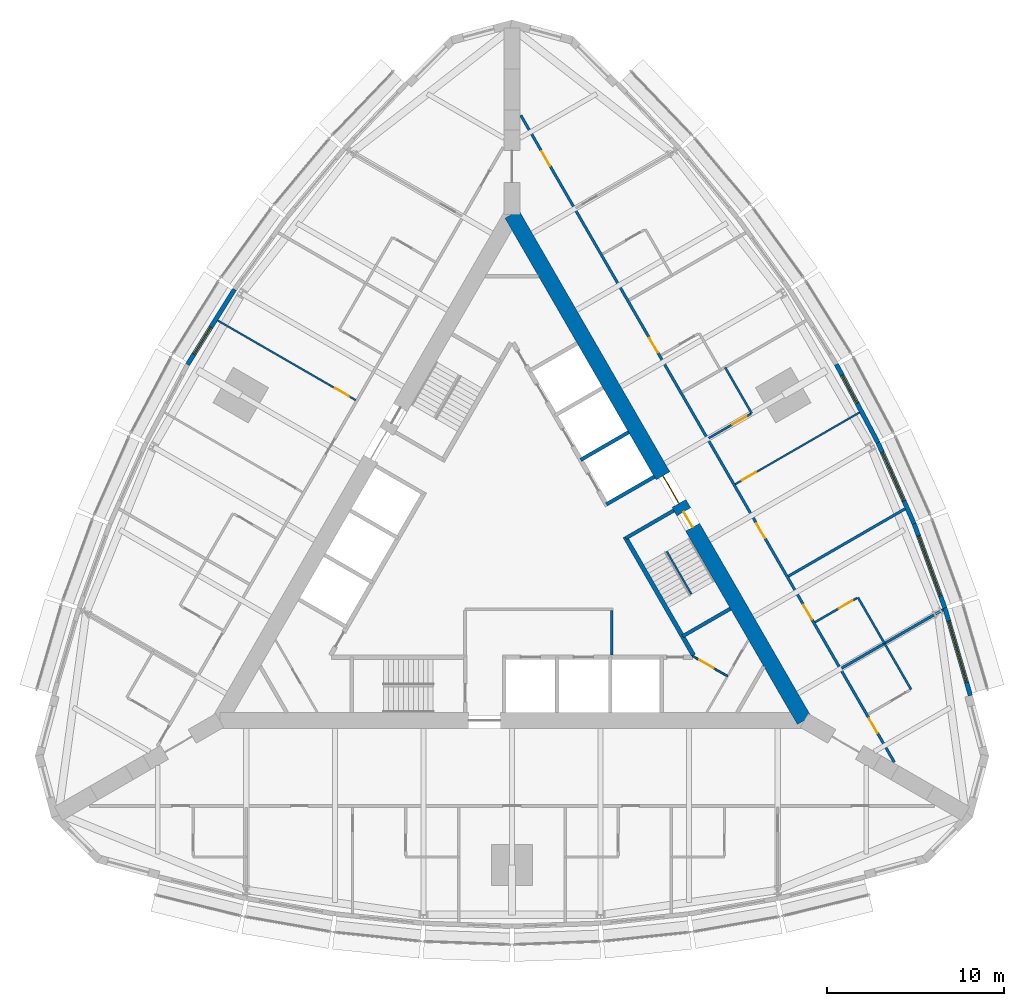
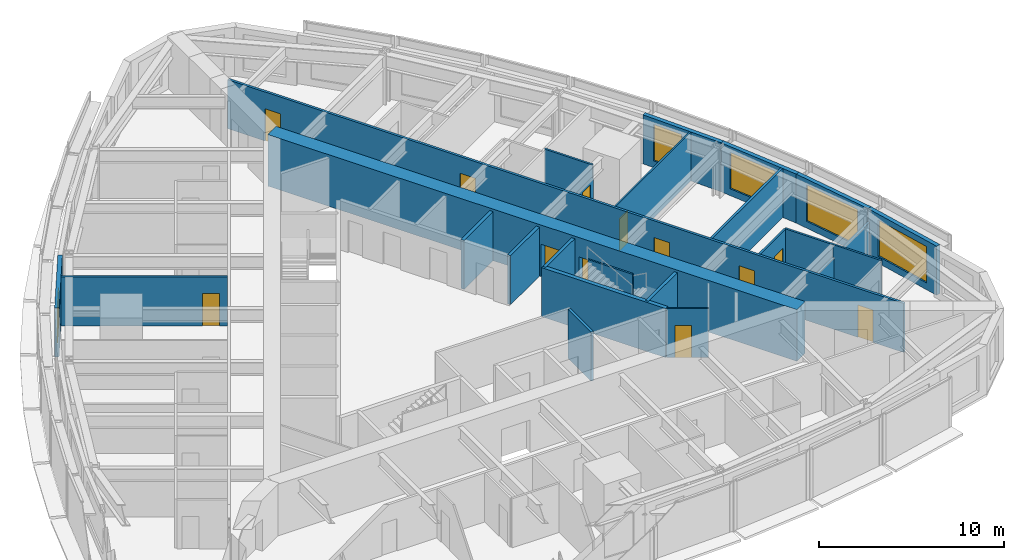
# One storey, part 11 of 14: 24 walls, 12 doors, 5 windows, 17 openings.
"""IFC4 building model written with IfcOpenShell, lengths in metres."""

from ifc_helpers import new_model, si_unit, direction, frame, frame_2d, origin, place, context, subcontext, project, spatial, rectangle, extrude, material, layer, layer_set, type_object, element, fill, save


model = new_model("IFC4")

# Units and contexts
model_context = context("Model", 3, precision=1e-05, world=origin(), true_north=direction((0.0, 1.0)))
body_context = subcontext(model_context, "Body", "Model", "MODEL_VIEW")
ifc_project = project(units=[si_unit("LENGTHUNIT", "METRE"), si_unit("AREAUNIT", "SQUARE_METRE"), si_unit("VOLUMEUNIT", "CUBIC_METRE"), si_unit("PLANEANGLEUNIT", "RADIAN"), si_unit("MASSUNIT", "GRAM", prefix="KILO")], contexts=[model_context])

# Site, building, storey
site_placement = place(None, origin())
site = spatial("IfcSite", under=ifc_project, at=site_placement, CompositionType="ELEMENT")
building_placement = place(site_placement, origin())
building = spatial("IfcBuilding", under=site, at=building_placement, Name="Trikona Tower", CompositionType="ELEMENT")
storey_placement = place(building_placement, frame((0.0, 0.0, 169.10009765625)))
storey = spatial("IfcBuildingStorey", under=building, at=storey_placement, Name="L45", CompositionType="ELEMENT", Elevation=169.10009765625)

# Walls
ifc_material_1 = material(Name="Metal stud and cement board", Category="gypsum")
ifc_layer_1 = layer(ifc_material_1, 0.1201171875)
ifc_layer_set_1 = layer_set([ifc_layer_1], Name="Bathroom wall 120")
wall_type_1 = type_object("IfcWallType", Name="Bathroom wall 120", PredefinedType="PLUMBINGWALL", material=ifc_layer_set_1)
for number, where, z_axis, x_axis, name in (
    (1, (22.53271484375, -7.775390625, 0.0), (0.0, 0.0, 1.0), (-0.499990139034, 0.866031096941, 0.0), "Bathroom wall 4505"),
    (2, (21.03271484375, -5.17724609375, 0.0), (0.0, 0.0, 1.0), (-0.499990139034, 0.866031096941, 0.0), "Bathroom wall 4506"),
):
    element("IfcWall", number, at=place(storey_placement, frame(where, z_axis=z_axis, x_axis=x_axis)), inside=storey, type_object=wall_type_1, Name=name, PredefinedType="PLUMBINGWALL", context=body_context, shape_type="SweptSolid", body=[
        extrude(rectangle(XDim=3.0, YDim=0.1201171875, at=frame_2d((1.5, 0.0))), origin(), (0.0, 0.0, 1.0), 3.23486328125),
    ])

# Wall, opening, door
wall_1_placement = place(storey_placement, frame((17.10791015625, -3.979248046875, 0.0), z_axis=(0.0, 0.0, 1.0), x_axis=(0.865997131366, 0.500048966069, 0.0)))
wall_1 = element("IfcWall", 3, at=wall_1_placement, inside=storey, type_object=wall_type_1, Name="Bathroom wall 4506", PredefinedType="PLUMBINGWALL", context=body_context, shape_type="SweptSolid", body=[
    extrude(rectangle(XDim=2.739990234375, YDim=0.1201171875, at=frame_2d((1.3701171875, 0.0))), origin(), (0.0, 0.0, 1.0), 3.23486328125),
])
opening_1_placement = place(wall_1_placement, frame((1.550048828125, 0.0, 0.0)))
opening_1 = element("IfcOpeningElement", 4, at=opening_1_placement, cuts=wall_1, Name="Opening D2", PredefinedType="OPENING", context=body_context, shape_type="SweptSolid", body=[
    extrude(rectangle(XDim=0.89990234375, YDim=2.1298828125, at=frame_2d((0.449951171875, 1.06494140625))), frame((0.0, 0.070068359375, 0.0), z_axis=(0.0, -1.0, 0.0), x_axis=(1.0, 0.0, 0.0)), (0.0, 0.0, 1.0), 0.14013671875),
])
ifc_material_2 = material(Name="Steel door frame with solid-core timber leaf", Category="steel")
door_type_1 = type_object("IfcDoorType", Name="Bathroom door 900x2130", OperationType="SLIDING_TO_LEFT", PredefinedType="DOOR", material=ifc_material_2)
door_1_placement = place(opening_1_placement, origin())
door_1 = element("IfcDoor", 5, at=door_1_placement, inside=storey, type_object=door_type_1, Name="Bathroom door 4506", OperationType="SLIDING_TO_LEFT", OverallHeight=2.1298828125, OverallWidth=0.89990234375, PredefinedType="DOOR", context=body_context, shape_type="SweptSolid", body=[
    extrude(rectangle(XDim=0.89990234375, YDim=2.1298828125, at=frame_2d((0.449951171875, 1.06494140625))), frame((0.0, 0.02490234375, 0.0), z_axis=(0.0, -1.0, 0.0), x_axis=(1.0, 0.0, 0.0)), (0.0, 0.0, 1.0), 0.050048828125),
])
fill(opening_1, door_1)

# Wall
wall_2_placement = place(storey_placement, frame((13.53271484375, 7.81298828125, 0.0), z_axis=(0.0, 0.0, 1.0), x_axis=(-0.499990139034, 0.866031096941, 0.0)))
element("IfcWall", 6, at=wall_2_placement, inside=storey, type_object=wall_type_1, Name="Bathroom wall 4507.1", PredefinedType="PLUMBINGWALL", context=body_context, shape_type="SweptSolid", body=[
    extrude(rectangle(XDim=3.0, YDim=0.1201171875, at=frame_2d((1.5, 0.0))), origin(), (0.0, 0.0, 1.0), 3.23486328125),
])

# Wall, opening, door
wall_3_placement = place(storey_placement, frame((11.10791015625, 6.4130859375, 0.0), z_axis=(0.0, 0.0, 1.0), x_axis=(0.865997131366, 0.500048966069, 0.0)))
wall_3 = element("IfcWall", 7, at=wall_3_placement, inside=storey, type_object=wall_type_1, Name="Bathroom wall 4507.1", PredefinedType="PLUMBINGWALL", context=body_context, shape_type="SweptSolid", body=[
    extrude(rectangle(XDim=2.739990234375, YDim=0.1201171875, at=frame_2d((1.3701171875, 0.0))), origin(), (0.0, 0.0, 1.0), 2.38916015625),
])
opening_2_placement = place(wall_3_placement, frame((1.550048828125, 0.0, 0.0)))
opening_2 = element("IfcOpeningElement", 8, at=opening_2_placement, cuts=wall_3, Name="Opening D2", PredefinedType="OPENING", context=body_context, shape_type="SweptSolid", body=[
    extrude(rectangle(XDim=0.89990234375, YDim=2.1298828125, at=frame_2d((0.449951171875, 1.06494140625))), frame((0.0, 0.070068359375, 0.0), z_axis=(0.0, -1.0, 0.0), x_axis=(1.0, 0.0, 0.0)), (0.0, 0.0, 1.0), 0.14013671875),
])
door_2_placement = place(opening_2_placement, origin())
door_2 = element("IfcDoor", 9, at=door_2_placement, inside=storey, type_object=door_type_1, Name="Bathroom door 4507.1", OperationType="SLIDING_TO_LEFT", OverallHeight=2.1298828125, OverallWidth=0.89990234375, PredefinedType="DOOR", context=body_context, shape_type="SweptSolid", body=[
    extrude(rectangle(XDim=0.89990234375, YDim=2.1298828125, at=frame_2d((0.449951171875, 1.06494140625))), frame((0.0, 0.02490234375, 0.0), z_axis=(0.0, -1.0, 0.0), x_axis=(1.0, 0.0, 0.0)), (0.0, 0.0, 1.0), 0.050048828125),
])
fill(opening_2, door_2)

# Wall, openings, doors
ifc_material_3 = material(Name="Concrete f'c 10000 psi", Category="concrete")
ifc_layer_2 = layer(ifc_material_3, 0.89990234375)
ifc_layer_set_2 = layer_set([ifc_layer_2], Name="Core wall 900")
wall_type_2 = type_object("IfcWallType", Name="Core wall 900", PredefinedType="SHEAR", material=ifc_layer_set_2)
wall_4_placement = place(storey_placement, frame((16.5, -9.5263671875, 0.0), z_axis=(0.0, 0.0, 1.0), x_axis=(-0.499999749417, 0.866025548458, 0.0)))
wall_4 = element("IfcWall", 10, at=wall_4_placement, inside=storey, type_object=wall_type_2, Name="Core wall B", PredefinedType="SHEAR", context=body_context, shape_type="SweptSolid", body=[
    extrude(rectangle(XDim=33.0, YDim=0.89990234375, at=frame_2d((16.5, 0.0))), origin(), (0.0, 0.0, 1.0), 3.39990234375),
])
opening_3_placement = place(wall_4_placement, frame((14.14990234375, 0.0, 0.0)))
opening_3 = element("IfcOpeningElement", 11, at=opening_3_placement, cuts=wall_4, Name="Opening D6", PredefinedType="OPENING", context=body_context, shape_type="SweptSolid", body=[
    extrude(rectangle(XDim=1.800048828125, YDim=2.1298828125, at=frame_2d((0.89990234375, 1.06494140625))), frame((0.0, 0.4599609375, 0.0), z_axis=(0.0, -1.0, 0.0), x_axis=(1.0, 0.0, 0.0)), (0.0, 0.0, 1.0), 0.919921875),
])
opening_4_placement = place(wall_4_placement, frame((12.60009765625, 0.0, 0.0)))
opening_4 = element("IfcOpeningElement", 12, at=opening_4_placement, cuts=wall_4, Name="Opening D5", PredefinedType="OPENING", context=body_context, shape_type="SweptSolid", body=[
    extrude(rectangle(XDim=1.0, YDim=2.1298828125, at=frame_2d((0.5, 1.06494140625))), frame((0.0, 0.4599609375, 0.0), z_axis=(0.0, -1.0, 0.0), x_axis=(1.0, 0.0, 0.0)), (0.0, 0.0, 1.0), 0.919921875),
])
ifc_material_4 = material(Name="Hollow metal door and frame", Category="steel")
door_type_2 = type_object("IfcDoorType", Name="Lobby door pair 1800x2130", OperationType="DOUBLE_DOOR_SINGLE_SWING", PredefinedType="DOOR", material=ifc_material_4)
door_3_placement = place(opening_3_placement, origin())
door_3 = element("IfcDoor", 13, at=door_3_placement, inside=storey, type_object=door_type_2, Name="Lift lobby door B", OperationType="DOUBLE_DOOR_SINGLE_SWING", OverallHeight=2.1298828125, OverallWidth=1.800048828125, PredefinedType="DOOR", context=body_context, shape_type="SweptSolid", body=[
    extrude(rectangle(XDim=1.800048828125, YDim=2.1298828125, at=frame_2d((0.89990234375, 1.06494140625))), frame((0.0, 0.02490234375, 0.0), z_axis=(0.0, -1.0, 0.0), x_axis=(1.0, 0.0, 0.0)), (0.0, 0.0, 1.0), 0.050048828125),
])
fill(opening_3, door_3)
ifc_material_5 = material(Name="Hollow metal door and frame", Category="steel")
door_type_3 = type_object("IfcDoorType", Name="Stair door 1000x2130", OperationType="SINGLE_SWING_LEFT", PredefinedType="DOOR", material=ifc_material_5)
door_4_placement = place(opening_4_placement, origin())
door_4 = element("IfcDoor", 14, at=door_4_placement, inside=storey, type_object=door_type_3, Name="Stair B door", OperationType="SINGLE_SWING_RIGHT", OverallHeight=2.1298828125, OverallWidth=1.0, PredefinedType="DOOR", context=body_context, shape_type="SweptSolid", body=[
    extrude(rectangle(XDim=1.0, YDim=2.1298828125, at=frame_2d((0.5, 1.06494140625))), frame((0.0, 0.02490234375, 0.0), z_axis=(0.0, -1.0, 0.0), x_axis=(1.0, 0.0, 0.0)), (0.0, 0.0, 1.0), 0.050048828125),
])
fill(opening_4, door_4)

ifc_material_6 = material(Name="Metal stud and gypsum board, 1-hour", Category="gypsum")
ifc_layer_3 = layer(ifc_material_6, 0.14990234375)
ifc_layer_set_3 = layer_set([ifc_layer_3], Name="Corridor wall 150")
wall_type_3 = type_object("IfcWallType", Name="Corridor wall 150", PredefinedType="PARTITIONING", material=ifc_layer_set_3)
wall_5_placement = place(storey_placement, frame((21.5859375, -11.88525390625, 0.0), z_axis=(0.0, 0.0, 1.0), x_axis=(-0.500001915564, 0.86602429783, 0.0)))
wall_5 = element("IfcWall", 15, at=wall_5_placement, inside=storey, type_object=wall_type_3, Name="Corridor wall L45-2", PredefinedType="PARTITIONING", context=body_context, shape_type="SweptSolid", body=[
    extrude(rectangle(XDim=42.171630859375, YDim=0.14990234375, at=frame_2d((21.0859375, 0.0))), origin(), (0.0, 0.0, 1.0), 3.23486328125),
])
opening_5_placement = place(wall_5_placement, frame((1.910888671875, 0.0, 0.0)))
opening_5 = element("IfcOpeningElement", 16, at=opening_5_placement, cuts=wall_5, Name="Opening D1", PredefinedType="OPENING", context=body_context, shape_type="SweptSolid", body=[
    extrude(rectangle(XDim=0.949951171875, YDim=2.1298828125, at=frame_2d((0.47509765625, 1.06494140625))), frame((0.0, 0.0849609375, 0.0), z_axis=(0.0, -1.0, 0.0), x_axis=(1.0, 0.0, 0.0)), (0.0, 0.0, 1.0), 0.169921875),
])
opening_6_placement = place(wall_5_placement, frame((9.310791015625, 0.0, 0.0)))
opening_6 = element("IfcOpeningElement", 17, at=opening_6_placement, cuts=wall_5, Name="Opening D1", PredefinedType="OPENING", context=body_context, shape_type="SweptSolid", body=[
    extrude(rectangle(XDim=0.949951171875, YDim=2.1298828125, at=frame_2d((0.47509765625, 1.06494140625))), frame((0.0, 0.0849609375, 0.0), z_axis=(0.0, -1.0, 0.0), x_axis=(1.0, 0.0, 0.0)), (0.0, 0.0, 1.0), 0.169921875),
])
opening_7_placement = place(wall_5_placement, frame((14.61083984375, 0.0, 0.0)))
opening_7 = element("IfcOpeningElement", 18, at=opening_7_placement, cuts=wall_5, Name="Opening D1", PredefinedType="OPENING", context=body_context, shape_type="SweptSolid", body=[
    extrude(rectangle(XDim=0.949951171875, YDim=2.1298828125, at=frame_2d((0.47509765625, 1.06494140625))), frame((0.0, 0.0849609375, 0.0), z_axis=(0.0, -1.0, 0.0), x_axis=(1.0, 0.0, 0.0)), (0.0, 0.0, 1.0), 0.169921875),
])
opening_8_placement = place(wall_5_placement, frame((26.7109375, 0.0, 0.0)))
opening_8 = element("IfcOpeningElement", 19, at=opening_8_placement, cuts=wall_5, Name="Opening D1", PredefinedType="OPENING", context=body_context, shape_type="SweptSolid", body=[
    extrude(rectangle(XDim=0.949951171875, YDim=2.1298828125, at=frame_2d((0.47509765625, 1.06494140625))), frame((0.0, 0.0849609375, 0.0), z_axis=(0.0, -1.0, 0.0), x_axis=(1.0, 0.0, 0.0)), (0.0, 0.0, 1.0), 0.169921875),
])
opening_9_placement = place(wall_5_placement, frame((38.884033203125, 0.0, 0.0)))
opening_9 = element("IfcOpeningElement", 20, at=opening_9_placement, cuts=wall_5, Name="Opening D1", PredefinedType="OPENING", context=body_context, shape_type="SweptSolid", body=[
    extrude(rectangle(XDim=0.949951171875, YDim=2.1298828125, at=frame_2d((0.47509765625, 1.06494140625))), frame((0.0, 0.0849609375, 0.0), z_axis=(0.0, -1.0, 0.0), x_axis=(1.0, 0.0, 0.0)), (0.0, 0.0, 1.0), 0.169921875),
])
ifc_material_7 = material(Name="Steel door frame with solid-core timber leaf", Category="steel")
door_type_4 = type_object("IfcDoorType", Name="Guest room door 950x2130", OperationType="SINGLE_SWING_LEFT", PredefinedType="DOOR", material=ifc_material_7)
door_5_placement = place(opening_5_placement, origin())
door_5 = element("IfcDoor", 21, at=door_5_placement, inside=storey, type_object=door_type_4, Name="Room door 4505", OperationType="SINGLE_SWING_LEFT", OverallHeight=2.1298828125, OverallWidth=0.949951171875, PredefinedType="DOOR", context=body_context, shape_type="SweptSolid", body=[
    extrude(rectangle(XDim=0.949951171875, YDim=2.1298828125, at=frame_2d((0.47509765625, 1.06494140625))), frame((0.0, 0.02490234375, 0.0), z_axis=(0.0, -1.0, 0.0), x_axis=(1.0, 0.0, 0.0)), (0.0, 0.0, 1.0), 0.050048828125),
])
fill(opening_5, door_5)
door_6_placement = place(opening_6_placement, origin())
door_6 = element("IfcDoor", 22, at=door_6_placement, inside=storey, type_object=door_type_4, Name="Room door 4506", OperationType="SINGLE_SWING_RIGHT", OverallHeight=2.1298828125, OverallWidth=0.949951171875, PredefinedType="DOOR", context=body_context, shape_type="SweptSolid", body=[
    extrude(rectangle(XDim=0.949951171875, YDim=2.1298828125, at=frame_2d((0.47509765625, 1.06494140625))), frame((0.0, 0.02490234375, 0.0), z_axis=(0.0, -1.0, 0.0), x_axis=(1.0, 0.0, 0.0)), (0.0, 0.0, 1.0), 0.050048828125),
])
fill(opening_6, door_6)
door_7_placement = place(opening_7_placement, origin())
door_7 = element("IfcDoor", 23, at=door_7_placement, inside=storey, type_object=door_type_4, Name="Room door 4507", OperationType="SINGLE_SWING_LEFT", OverallHeight=2.1298828125, OverallWidth=0.949951171875, PredefinedType="DOOR", context=body_context, shape_type="SweptSolid", body=[
    extrude(rectangle(XDim=0.949951171875, YDim=2.1298828125, at=frame_2d((0.47509765625, 1.06494140625))), frame((0.0, 0.02490234375, 0.0), z_axis=(0.0, -1.0, 0.0), x_axis=(1.0, 0.0, 0.0)), (0.0, 0.0, 1.0), 0.050048828125),
])
fill(opening_7, door_7)
door_8_placement = place(opening_8_placement, origin())
door_8 = element("IfcDoor", 24, at=door_8_placement, inside=storey, type_object=door_type_4, Name="Room door 4508", OperationType="SINGLE_SWING_RIGHT", OverallHeight=2.1298828125, OverallWidth=0.949951171875, PredefinedType="DOOR", context=body_context, shape_type="SweptSolid", body=[
    extrude(rectangle(XDim=0.949951171875, YDim=2.1298828125, at=frame_2d((0.47509765625, 1.06494140625))), frame((0.0, 0.02490234375, 0.0), z_axis=(0.0, -1.0, 0.0), x_axis=(1.0, 0.0, 0.0)), (0.0, 0.0, 1.0), 0.050048828125),
])
fill(opening_8, door_8)
door_9_placement = place(opening_9_placement, origin())
door_9 = element("IfcDoor", 25, at=door_9_placement, inside=storey, type_object=door_type_4, Name="Room door 4509", OperationType="SINGLE_SWING_RIGHT", OverallHeight=2.1298828125, OverallWidth=0.949951171875, PredefinedType="DOOR", context=body_context, shape_type="SweptSolid", body=[
    extrude(rectangle(XDim=0.949951171875, YDim=2.1298828125, at=frame_2d((0.47509765625, 1.06494140625))), frame((0.0, 0.02490234375, 0.0), z_axis=(0.0, -1.0, 0.0), x_axis=(1.0, 0.0, 0.0)), (0.0, 0.0, 1.0), 0.050048828125),
])
fill(opening_9, door_9)

# Wall
ifc_material_8 = material(Name="Concrete f'c 8000 psi", Category="concrete")
ifc_layer_4 = layer(ifc_material_8, 0.25)
ifc_layer_set_4 = layer_set([ifc_layer_4], Name="Hub wall 250")
wall_type_4 = type_object("IfcWallType", Name="Hub wall 250", PredefinedType="SOLIDWALL", material=ifc_layer_set_4)
wall_6_placement = place(storey_placement, frame((10.245361328125, -5.843017578125, 0.0), z_axis=(0.0, 0.0, 1.0), x_axis=(-0.499993009313, 0.866029439822, 0.0)))
element("IfcWall", 26, at=wall_6_placement, inside=storey, type_object=wall_type_4, Name="Lift lobby wall B1", PredefinedType="SOLIDWALL", context=body_context, shape_type="SweptSolid", body=[
    extrude(rectangle(XDim=7.73291015625, YDim=0.25, at=frame_2d((3.866455078125, 0.0))), origin(), (0.0, 0.0, 1.0), 3.23486328125),
])

# Wall, opening, window
ifc_material_9 = material(Name="Insulated precast concrete spandrel panel", Category="concrete")
ifc_layer_5 = layer(ifc_material_9, 0.25)
ifc_layer_set_5 = layer_set([ifc_layer_5], Name="Inner skin wall 250")
wall_type_5 = type_object("IfcWallType", Name="Inner skin wall 250", PredefinedType="STANDARD", material=ifc_layer_set_5)
wall_7_placement = place(storey_placement, frame((25.8798828125, -8.117919921875, 0.0), z_axis=(0.0, 0.0, 1.0), x_axis=(-0.279528287117, 0.960137457191, 0.0)))
wall_7 = element("IfcWall", 27, at=wall_7_placement, inside=storey, type_object=wall_type_5, Name="External wall L45-12", PredefinedType="STANDARD", context=body_context, shape_type="SweptSolid", body=[
    extrude(rectangle(XDim=5.14794921875, YDim=0.25, at=frame_2d((2.573974609375, 0.0))), origin(), (0.0, 0.0, 1.0), 3.23486328125),
])
opening_10_placement = place(wall_7_placement, frame((0.77392578125, 0.0, 0.449951171875)))
opening_10 = element("IfcOpeningElement", 28, at=opening_10_placement, cuts=wall_7, Name="Opening W3624", PredefinedType="OPENING", context=body_context, shape_type="SweptSolid", body=[
    extrude(rectangle(XDim=3.60009765625, YDim=2.39990234375, at=frame_2d((1.800048828125, 1.199951171875))), frame((0.0, 0.135009765625, 0.0), z_axis=(0.0, -1.0, 0.0), x_axis=(1.0, 0.0, 0.0)), (0.0, 0.0, 1.0), 0.27001953125),
])
ifc_material_10 = material(Name="Aluminium-framed double glazing", Category="aluminium")
window_type_1 = type_object("IfcWindowType", Name="Window 3600x2400", PartitioningType="SINGLE_PANEL", PredefinedType="WINDOW", material=ifc_material_10)
window_1_placement = place(opening_10_placement, origin())
window_1 = element("IfcWindow", 29, at=window_1_placement, inside=storey, type_object=window_type_1, Name="Window 4505", OverallHeight=2.39990234375, OverallWidth=3.60009765625, PartitioningType="SINGLE_PANEL", PredefinedType="WINDOW", context=body_context, shape_type="SweptSolid", body=[
    extrude(rectangle(XDim=3.60009765625, YDim=2.39990234375, at=frame_2d((1.800048828125, 1.199951171875))), frame((0.0, 0.030029296875, 0.0), z_axis=(0.0, -1.0, 0.0), x_axis=(1.0, 0.0, 0.0)), (0.0, 0.0, 1.0), 0.06005859375),
])
fill(opening_10, window_1)

wall_8_placement = place(storey_placement, frame((24.443603515625, -3.18310546875, 0.0), z_axis=(0.0, 0.0, 1.0), x_axis=(-0.343225593282, 0.939252996863, 0.0)))
wall_8 = element("IfcWall", 30, at=wall_8_placement, inside=storey, type_object=wall_type_5, Name="External wall L45-13", PredefinedType="STANDARD", context=body_context, shape_type="SweptSolid", body=[
    extrude(rectangle(XDim=5.075927734375, YDim=0.25, at=frame_2d((2.5380859375, 0.0))), origin(), (0.0, 0.0, 1.0), 3.23486328125),
])
opening_11_placement = place(wall_8_placement, frame((0.738037109375, 0.0, 0.449951171875)))
opening_11 = element("IfcOpeningElement", 31, at=opening_11_placement, cuts=wall_8, Name="Opening W3624", PredefinedType="OPENING", context=body_context, shape_type="SweptSolid", body=[
    extrude(rectangle(XDim=3.60009765625, YDim=2.39990234375, at=frame_2d((1.800048828125, 1.199951171875))), frame((0.0, 0.135009765625, 0.0), z_axis=(0.0, -1.0, 0.0), x_axis=(1.0, 0.0, 0.0)), (0.0, 0.0, 1.0), 0.27001953125),
])
window_2_placement = place(opening_11_placement, origin())
window_2 = element("IfcWindow", 32, at=window_2_placement, inside=storey, type_object=window_type_1, Name="Window 4506", OverallHeight=2.39990234375, OverallWidth=3.60009765625, PartitioningType="SINGLE_PANEL", PredefinedType="WINDOW", context=body_context, shape_type="SweptSolid", body=[
    extrude(rectangle(XDim=3.60009765625, YDim=2.39990234375, at=frame_2d((1.800048828125, 1.199951171875))), frame((0.0, 0.030029296875, 0.0), z_axis=(0.0, -1.0, 0.0), x_axis=(1.0, 0.0, 0.0)), (0.0, 0.0, 1.0), 0.06005859375),
])
fill(opening_11, window_2)

wall_9_placement = place(storey_placement, frame((22.70458984375, 1.576416015625, 0.0), z_axis=(0.0, 0.0, 1.0), x_axis=(-0.406832200364, 0.913502906808, 0.0)))
wall_9 = element("IfcWall", 33, at=wall_9_placement, inside=storey, type_object=wall_type_5, Name="External wall L45-14", PredefinedType="STANDARD", context=body_context, shape_type="SweptSolid", body=[
    extrude(rectangle(XDim=5.027587890625, YDim=0.25, at=frame_2d((2.513671875, 0.0))), origin(), (0.0, 0.0, 1.0), 3.23486328125),
])
opening_12_placement = place(wall_9_placement, frame((1.41796875, 0.0, 0.449951171875)))
opening_12 = element("IfcOpeningElement", 34, at=opening_12_placement, cuts=wall_9, Name="Opening W3024", PredefinedType="OPENING", context=body_context, shape_type="SweptSolid", body=[
    extrude(rectangle(XDim=3.0, YDim=2.39990234375, at=frame_2d((1.5, 1.199951171875))), frame((0.0, 0.135009765625, 0.0), z_axis=(0.0, -1.0, 0.0), x_axis=(1.0, 0.0, 0.0)), (0.0, 0.0, 1.0), 0.27001953125),
])
ifc_material_11 = material(Name="Aluminium-framed double glazing", Category="aluminium")
window_type_2 = type_object("IfcWindowType", Name="Window 3000x2400", PartitioningType="SINGLE_PANEL", PredefinedType="WINDOW", material=ifc_material_11)
window_3_placement = place(opening_12_placement, origin())
window_3 = element("IfcWindow", 35, at=window_3_placement, inside=storey, type_object=window_type_2, Name="Window 4507", OverallHeight=2.39990234375, OverallWidth=3.0, PartitioningType="SINGLE_PANEL", PredefinedType="WINDOW", context=body_context, shape_type="SweptSolid", body=[
    extrude(rectangle(XDim=3.0, YDim=2.39990234375, at=frame_2d((1.5, 1.199951171875))), frame((0.0, 0.030029296875, 0.0), z_axis=(0.0, -1.0, 0.0), x_axis=(1.0, 0.0, 0.0)), (0.0, 0.0, 1.0), 0.06005859375),
])
fill(opening_12, window_3)

wall_10_placement = place(storey_placement, frame((20.662841796875, 6.161376953125, 0.0), z_axis=(0.0, 0.0, 1.0), x_axis=(-0.469404966864, 0.882982999317, 0.0)))
wall_10 = element("IfcWall", 36, at=wall_10_placement, inside=storey, type_object=wall_type_5, Name="External wall L45-15", PredefinedType="STANDARD", context=body_context, shape_type="SweptSolid", body=[
    extrude(rectangle(XDim=5.0029296875, YDim=0.25, at=frame_2d((2.50146484375, 0.0))), origin(), (0.0, 0.0, 1.0), 3.23486328125),
])
opening_13_placement = place(wall_10_placement, frame((2.519287109375, 0.0, 0.449951171875)))
opening_13 = element("IfcOpeningElement", 37, at=opening_13_placement, cuts=wall_10, Name="Opening W1824", PredefinedType="OPENING", context=body_context, shape_type="SweptSolid", body=[
    extrude(rectangle(XDim=1.800048828125, YDim=2.39990234375, at=frame_2d((0.89990234375, 1.199951171875))), frame((0.0, 0.135009765625, 0.0), z_axis=(0.0, -1.0, 0.0), x_axis=(1.0, 0.0, 0.0)), (0.0, 0.0, 1.0), 0.27001953125),
])
ifc_material_12 = material(Name="Aluminium-framed double glazing", Category="aluminium")
window_type_3 = type_object("IfcWindowType", Name="Window 1800x2400", PartitioningType="SINGLE_PANEL", PredefinedType="WINDOW", material=ifc_material_12)
window_4_placement = place(opening_13_placement, origin())
window_4 = element("IfcWindow", 38, at=window_4_placement, inside=storey, type_object=window_type_3, Name="Window 4507.1", OverallHeight=2.39990234375, OverallWidth=1.800048828125, PartitioningType="SINGLE_PANEL", PredefinedType="WINDOW", context=body_context, shape_type="SweptSolid", body=[
    extrude(rectangle(XDim=1.800048828125, YDim=2.39990234375, at=frame_2d((0.89990234375, 1.199951171875))), frame((0.0, 0.030029296875, 0.0), z_axis=(0.0, -1.0, 0.0), x_axis=(1.0, 0.0, 0.0)), (0.0, 0.0, 1.0), 0.06005859375),
])
fill(opening_13, window_4)

wall_11_placement = place(storey_placement, frame((-15.667236328125, 14.81396484375, 0.0), z_axis=(0.0, 0.0, 1.0), x_axis=(-0.529990167382, -0.84800378683, 0.0)))
wall_11 = element("IfcWall", 39, at=wall_11_placement, inside=storey, type_object=wall_type_5, Name="External wall L45-27", PredefinedType="STANDARD", context=body_context, shape_type="SweptSolid", body=[
    extrude(rectangle(XDim=5.003173828125, YDim=0.25, at=frame_2d((2.50146484375, 0.0))), origin(), (0.0, 0.0, 1.0), 3.23486328125),
])
opening_14_placement = place(wall_11_placement, frame((2.519287109375, 0.0, 0.449951171875)))
opening_14 = element("IfcOpeningElement", 40, at=opening_14_placement, cuts=wall_11, Name="Opening W1824", PredefinedType="OPENING", context=body_context, shape_type="SweptSolid", body=[
    extrude(rectangle(XDim=1.800048828125, YDim=2.39990234375, at=frame_2d((0.89990234375, 1.199951171875))), frame((0.0, 0.135009765625, 0.0), z_axis=(0.0, -1.0, 0.0), x_axis=(1.0, 0.0, 0.0)), (0.0, 0.0, 1.0), 0.27001953125),
])
window_5_placement = place(opening_14_placement, origin())
window_5 = element("IfcWindow", 41, at=window_5_placement, inside=storey, type_object=window_type_3, Name="Window 4511", OverallHeight=2.39990234375, OverallWidth=1.800048828125, PartitioningType="SINGLE_PANEL", PredefinedType="WINDOW", context=body_context, shape_type="SweptSolid", body=[
    extrude(rectangle(XDim=1.800048828125, YDim=2.39990234375, at=frame_2d((0.89990234375, 1.199951171875))), frame((0.0, 0.030029296875, 0.0), z_axis=(0.0, -1.0, 0.0), x_axis=(1.0, 0.0, 0.0)), (0.0, 0.0, 1.0), 0.06005859375),
])
fill(opening_14, window_5)

# Walls
ifc_material_13 = material(Name="Metal stud and gypsum board, 2-hour shaft wall", Category="gypsum")
ifc_layer_6 = layer(ifc_material_13, 0.14990234375)
ifc_layer_set_6 = layer_set([ifc_layer_6], Name="Lobby wall 150")
wall_type_6 = type_object("IfcWallType", Name="Lobby wall 150", PredefinedType="PARTITIONING", material=ifc_layer_set_6)
wall_12_placement = place(storey_placement, frame((5.625, -5.826416015625, 0.0), z_axis=(0.0, 0.0, 1.0), x_axis=(0.0, 1.0, 0.0)))
element("IfcWall", 42, at=wall_12_placement, inside=storey, type_object=wall_type_6, Name="Fire service lift lobby wall 3", PredefinedType="PARTITIONING", context=body_context, shape_type="SweptSolid", body=[
    extrude(rectangle(XDim=2.5, YDim=0.14990234375, at=frame_2d((1.25, 0.0))), origin(), (0.0, 0.0, 1.0), 3.23486328125),
])
ifc_material_14 = material(Name="Metal stud and gypsum board, 1-hour acoustic", Category="gypsum")
ifc_layer_7 = layer(ifc_material_14, 0.14990234375)
ifc_layer_set_7 = layer_set([ifc_layer_7], Name="Party wall 150")
wall_type_7 = type_object("IfcWallType", Name="Party wall 150", PredefinedType="PARTITIONING", material=ifc_layer_set_7)
wall_13_placement = place(storey_placement, frame((18.60791015625, -6.5771484375, 0.0), z_axis=(0.0, 0.0, 1.0), x_axis=(0.866031967744, 0.499988630717, 0.0)))
element("IfcWall", 43, at=wall_13_placement, inside=storey, type_object=wall_type_7, Name="Partition L45 F2 u-15", PredefinedType="PARTITIONING", context=body_context, shape_type="SweptSolid", body=[
    extrude(rectangle(XDim=6.616455078125, YDim=0.14990234375, at=frame_2d((3.30810546875, 0.0))), origin(), (0.0, 0.0, 1.0), 2.38916015625),
])
wall_14_placement = place(storey_placement, frame((15.60791015625, -1.381103515625, 0.0), z_axis=(0.0, 0.0, 1.0), x_axis=(0.866025154315, 0.500000432093, 0.0)))
element("IfcWall", 44, at=wall_14_placement, inside=storey, type_object=wall_type_7, Name="Partition L45 F2 u-9", PredefinedType="PARTITIONING", context=body_context, shape_type="SweptSolid", body=[
    extrude(rectangle(XDim=7.6025390625, YDim=0.14990234375, at=frame_2d((3.80126953125, 0.0))), origin(), (0.0, 0.0, 1.0), 3.23486328125),
])
ifc_material_15 = material(Name="Concrete f'c 8000 psi", Category="concrete")
ifc_layer_8 = layer(ifc_material_15, 0.199951171875)
ifc_layer_set_8 = layer_set([ifc_layer_8], Name="Shaft wall 200")
wall_type_8 = type_object("IfcWallType", Name="Shaft wall 200", PredefinedType="SOLIDWALL", material=ifc_layer_set_8)
for number, where, z_axis, x_axis, name in (
    (45, (5.3291015625, 2.672607421875, 0.0), (0.0, 0.0, 1.0), (0.866022959057, 0.500004234368, 0.0), "Shaft wall B3"),
    (46, (3.87890625, 5.18408203125, 0.0), (0.0, 0.0, 1.0), (0.866022959057, 0.500004234368, 0.0), "Shaft wall B4"),
):
    element("IfcWall", number, at=place(storey_placement, frame(where, z_axis=z_axis, x_axis=x_axis)), inside=storey, type_object=wall_type_8, Name=name, PredefinedType="SOLIDWALL", context=body_context, shape_type="SweptSolid", body=[
        extrude(rectangle(XDim=3.125, YDim=0.199951171875, at=frame_2d((1.5625, 0.0))), origin(), (0.0, 0.0, 1.0), 3.23486328125),
    ])
ifc_material_16 = material(Name="Concrete f'c 8000 psi", Category="concrete")
ifc_layer_9 = layer(ifc_material_16, 0.199951171875)
ifc_layer_set_9 = layer_set([ifc_layer_9], Name="Shaft wall 200 load-bearing")
wall_type_9 = type_object("IfcWallType", Name="Shaft wall 200 load-bearing", PredefinedType="SOLIDWALL", material=ifc_layer_set_9)
for number, where, z_axis, x_axis, name in (
    (47, (9.62890625, -4.775390625, 0.0), (0.0, 0.0, 1.0), (0.866022959057, 0.500004234368, 0.0), "Shaft wall B1"),
    (48, (6.428955078125, 0.767333984375, 0.0), (0.0, 0.0, 1.0), (0.866022959057, 0.500004234368, 0.0), "Shaft wall B2"),
):
    element("IfcWall", number, at=place(storey_placement, frame(where, z_axis=z_axis, x_axis=x_axis)), inside=storey, type_object=wall_type_9, Name=name, PredefinedType="SOLIDWALL", context=body_context, shape_type="SweptSolid", body=[
        extrude(rectangle(XDim=3.125, YDim=0.199951171875, at=frame_2d((1.5625, 0.0))), origin(), (0.0, 0.0, 1.0), 3.23486328125),
    ])
ifc_material_17 = material(Name="Concrete f'c 5000 psi", Category="concrete")
ifc_layer_10 = layer(ifc_material_17, 0.10009765625)
ifc_layer_set_10 = layer_set([ifc_layer_10], Name="Stair spine wall 100")
wall_type_10 = type_object("IfcWallType", Name="Stair spine wall 100", PredefinedType="SOLIDWALL", material=ifc_layer_set_10)
wall_15_placement = place(storey_placement, frame((10.134765625, -2.4013671875, 0.0), z_axis=(0.0, 0.0, 1.0), x_axis=(-0.499992232847, 0.866029888106, 0.0)))
element("IfcWall", 49, at=wall_15_placement, inside=storey, type_object=wall_type_10, Name="Stair B spine wall L45", PredefinedType="SOLIDWALL", context=body_context, shape_type="SweptSolid", body=[
    extrude(rectangle(XDim=2.7939453125, YDim=0.10009765625, at=frame_2d((1.39697265625, 0.0))), origin(), (0.0, 0.0, 1.0), 3.39990234375),
])

# Wall, opening, door
ifc_material_18 = material(Name="Metal stud and gypsum board, acoustic", Category="gypsum")
ifc_layer_11 = layer(ifc_material_18, 0.10009765625)
ifc_layer_set_11 = layer_set([ifc_layer_11], Name="Suite partition 100")
wall_type_11 = type_object("IfcWallType", Name="Suite partition 100", PredefinedType="PARTITIONING", material=ifc_layer_set_11)
wall_16_placement = place(storey_placement, frame((12.60791015625, 3.815185546875, 0.0), z_axis=(0.0, 0.0, 1.0), x_axis=(0.866021827868, 0.500006193617, 0.0)))
wall_16 = element("IfcWall", 50, at=wall_16_placement, inside=storey, type_object=wall_type_11, Name="Suite partition L45 F2 u-3", PredefinedType="PARTITIONING", context=body_context, shape_type="SweptSolid", body=[
    extrude(rectangle(XDim=8.09375, YDim=0.10009765625, at=frame_2d((4.046875, 0.0))), origin(), (0.0, 0.0, 1.0), 3.23486328125),
])
opening_15_placement = place(wall_16_placement, frame((0.449951171875, 0.0, 0.0)))
opening_15 = element("IfcOpeningElement", 51, at=opening_15_placement, cuts=wall_16, Name="Opening D13", PredefinedType="OPENING", context=body_context, shape_type="SweptSolid", body=[
    extrude(rectangle(XDim=0.89990234375, YDim=2.1298828125, at=frame_2d((0.449951171875, 1.06494140625))), frame((0.0, 0.06005859375, 0.0), z_axis=(0.0, -1.0, 0.0), x_axis=(1.0, 0.0, 0.0)), (0.0, 0.0, 1.0), 0.1201171875),
])
ifc_material_19 = material(Name="Steel door frame with solid-core timber leaf", Category="steel")
door_type_5 = type_object("IfcDoorType", Name="Suite door 900x2130", OperationType="SINGLE_SWING_LEFT", PredefinedType="DOOR", material=ifc_material_19)
door_10_placement = place(opening_15_placement, origin())
door_10 = element("IfcDoor", 52, at=door_10_placement, inside=storey, type_object=door_type_5, Name="Suite door 4507", OperationType="SINGLE_SWING_LEFT", OverallHeight=2.1298828125, OverallWidth=0.89990234375, PredefinedType="DOOR", context=body_context, shape_type="SweptSolid", body=[
    extrude(rectangle(XDim=0.89990234375, YDim=2.1298828125, at=frame_2d((0.449951171875, 1.06494140625))), frame((0.0, 0.02490234375, 0.0), z_axis=(0.0, -1.0, 0.0), x_axis=(1.0, 0.0, 0.0)), (0.0, 0.0, 1.0), 0.050048828125),
])
fill(opening_15, door_10)

wall_17_placement = place(storey_placement, frame((-8.82861328125, 8.561279296875, 0.0), z_axis=(0.0, 0.0, 1.0), x_axis=(-0.866021034389, 0.500007567939, 0.0)))
wall_17 = element("IfcWall", 53, at=wall_17_placement, inside=storey, type_object=wall_type_11, Name="Suite partition L45 F3 u-3", PredefinedType="PARTITIONING", context=body_context, shape_type="SweptSolid", body=[
    extrude(rectangle(XDim=8.993408203125, YDim=0.10009765625, at=frame_2d((4.49658203125, 0.0))), origin(), (0.0, 0.0, 1.0), 3.23486328125),
])
opening_16_placement = place(wall_17_placement, frame((0.449951171875, 0.0, 0.0)))
opening_16 = element("IfcOpeningElement", 54, at=opening_16_placement, cuts=wall_17, Name="Opening D13", PredefinedType="OPENING", context=body_context, shape_type="SweptSolid", body=[
    extrude(rectangle(XDim=0.89990234375, YDim=2.1298828125, at=frame_2d((0.449951171875, 1.06494140625))), frame((0.0, 0.06005859375, 0.0), z_axis=(0.0, -1.0, 0.0), x_axis=(1.0, 0.0, 0.0)), (0.0, 0.0, 1.0), 0.1201171875),
])
door_11_placement = place(opening_16_placement, origin())
door_11 = element("IfcDoor", 55, at=door_11_placement, inside=storey, type_object=door_type_5, Name="Suite door 4511", OperationType="SINGLE_SWING_LEFT", OverallHeight=2.1298828125, OverallWidth=0.89990234375, PredefinedType="DOOR", context=body_context, shape_type="SweptSolid", body=[
    extrude(rectangle(XDim=0.89990234375, YDim=2.1298828125, at=frame_2d((0.449951171875, 1.06494140625))), frame((0.0, 0.02490234375, 0.0), z_axis=(0.0, -1.0, 0.0), x_axis=(1.0, 0.0, 0.0)), (0.0, 0.0, 1.0), 0.050048828125),
])
fill(opening_16, door_11)

wall_18_placement = place(storey_placement, frame((12.169921875, -7.0263671875, 0.0), z_axis=(0.0, 0.0, 1.0), x_axis=(-0.866015833478, 0.50001657589, 0.0)))
wall_18 = element("IfcWall", 56, at=wall_18_placement, inside=storey, type_object=wall_type_11, Name="Store partition L45-RS1", PredefinedType="PARTITIONING", context=body_context, shape_type="SweptSolid", body=[
    extrude(rectangle(XDim=2.275390625, YDim=0.10009765625, at=frame_2d((1.1376953125, 0.0))), origin(), (0.0, 0.0, 1.0), 3.23486328125),
])
opening_17_placement = place(wall_18_placement, frame((0.9150390625, 0.0, 0.0)))
opening_17 = element("IfcOpeningElement", 57, at=opening_17_placement, cuts=wall_18, Name="Opening D15", PredefinedType="OPENING", context=body_context, shape_type="SweptSolid", body=[
    extrude(rectangle(XDim=0.89990234375, YDim=2.1298828125, at=frame_2d((0.449951171875, 1.06494140625))), frame((0.0, 0.06005859375, 0.0), z_axis=(0.0, -1.0, 0.0), x_axis=(1.0, 0.0, 0.0)), (0.0, 0.0, 1.0), 0.1201171875),
])
ifc_material_20 = material(Name="Steel door frame with solid-core timber leaf", Category="steel")
door_type_6 = type_object("IfcDoorType", Name="Store door 900x2130", OperationType="SINGLE_SWING_LEFT", PredefinedType="DOOR", material=ifc_material_20)
door_12_placement = place(opening_17_placement, origin())
door_12 = element("IfcDoor", 58, at=door_12_placement, inside=storey, type_object=door_type_6, Name="Door Minibar store MBS", OperationType="SINGLE_SWING_RIGHT", OverallHeight=2.1298828125, OverallWidth=0.89990234375, PredefinedType="DOOR", context=body_context, shape_type="SweptSolid", body=[
    extrude(rectangle(XDim=0.89990234375, YDim=2.1298828125, at=frame_2d((0.449951171875, 1.06494140625))), frame((0.0, 0.02490234375, 0.0), z_axis=(0.0, -1.0, 0.0), x_axis=(1.0, 0.0, 0.0)), (0.0, 0.0, 1.0), 0.050048828125),
])
fill(opening_17, door_12)

save(model, "model.ifc")
